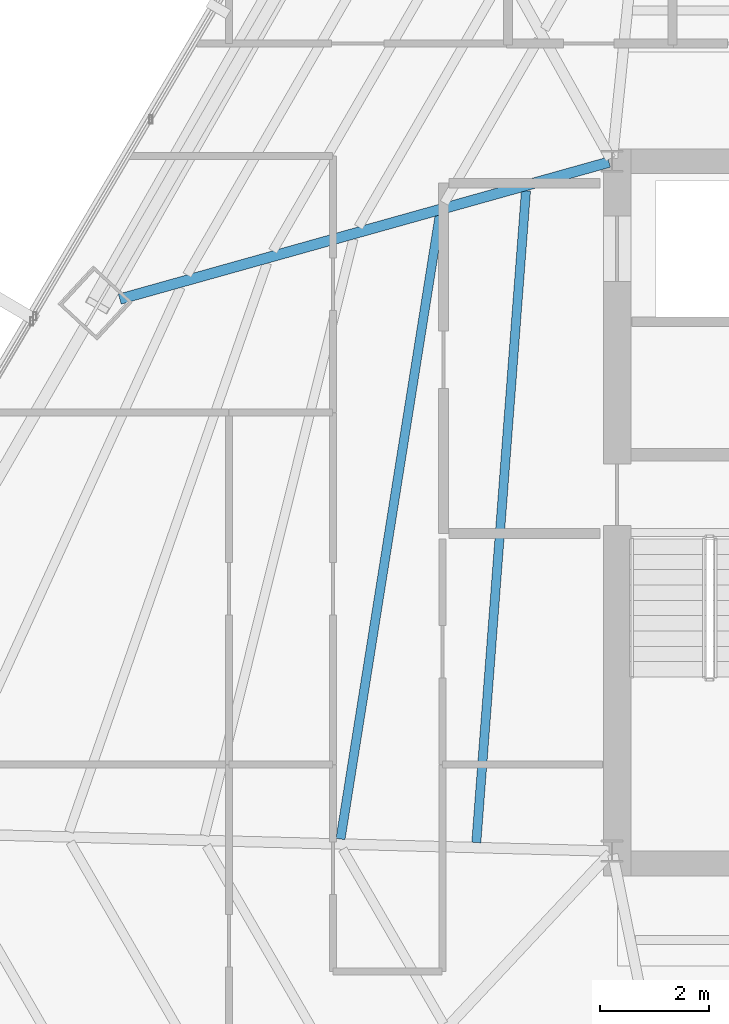
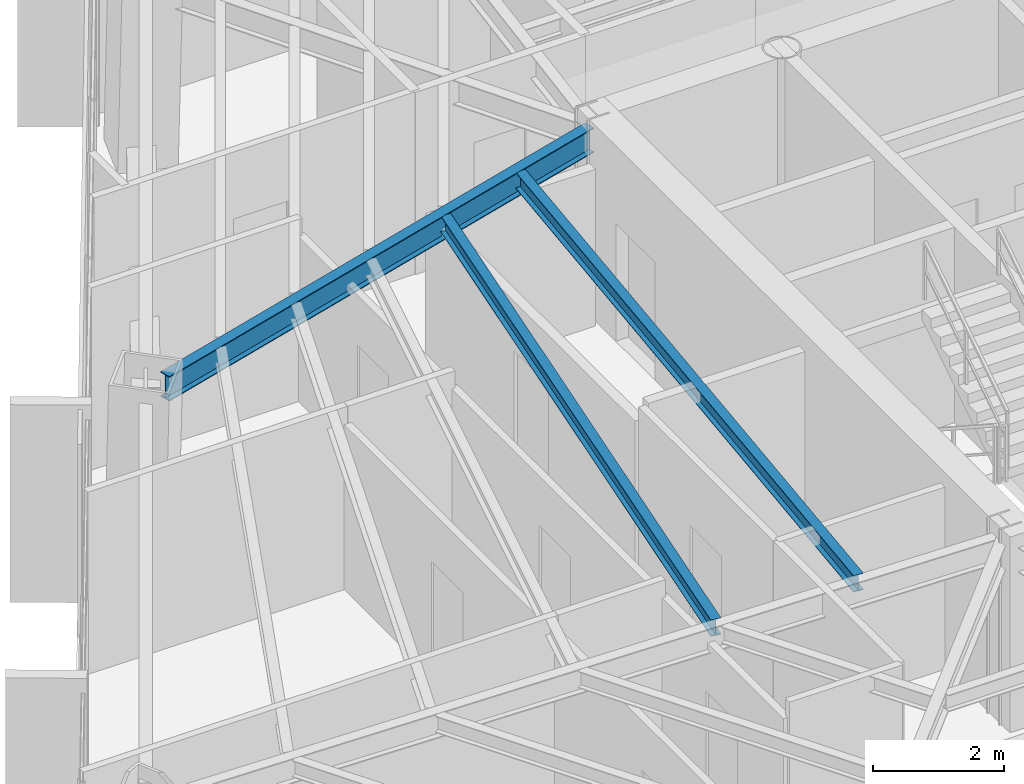
# One storey, part 13 of 41: 3 beams.
"""IFC4 building model written with IfcOpenShell, lengths in metres."""

from ifc_helpers import new_model, si_unit, direction, frame, origin, origin_2d, place, context, subcontext, project, spatial, i_section, extrude, source, transform, mapped, material, material_profile, profile_set, type_object, type_shapes, element, save


model = new_model("IFC4")

# Units and contexts
model_context = context("Model", 3, precision=1e-05, world=origin(), true_north=direction((0.0, 1.0)))
body_context = subcontext(model_context, "Body", "Model", "MODEL_VIEW")
ifc_project = project(units=[si_unit("LENGTHUNIT", "METRE"), si_unit("AREAUNIT", "SQUARE_METRE"), si_unit("VOLUMEUNIT", "CUBIC_METRE"), si_unit("PLANEANGLEUNIT", "RADIAN"), si_unit("MASSUNIT", "GRAM", prefix="KILO")], contexts=[model_context])

# Site, building, storey
site_placement = place(None, origin())
site = spatial("IfcSite", under=ifc_project, at=site_placement, CompositionType="ELEMENT")
building_placement = place(site_placement, origin())
building = spatial("IfcBuilding", under=site, at=building_placement, Name="Caelisora Broadcast Tower", CompositionType="ELEMENT")
storey_placement = place(building_placement, frame((0.0, 0.0, 169.449951171875)))
storey = spatial("IfcBuildingStorey", under=building, at=storey_placement, Name="L44", CompositionType="ELEMENT", Elevation=169.449951171875)

# Beams
ifc_material = material(Name="Steel Grade 350 (AS/NZS 3679.1)", Category="steel")
ifc_material_profile_1 = material_profile(ifc_material, i_section(OverallWidth=0.19091796875, OverallDepth=0.46044921875, WebThickness=0.010009765625, FlangeThickness=0.01611328125, at=origin_2d()), Name="Steel Grade 350 (AS/NZS 3679.1)")
ifc_profile_set_1 = profile_set([ifc_material_profile_1], Name="Steel Grade 350 (AS/NZS 3679.1)")
beam_type_1 = type_object("IfcBeamType", Name="PG06", PredefinedType="BEAM", material=ifc_profile_set_1)
shared_shape_1 = source(origin(), body_context, "Body", "SweptSolid", [
    extrude(i_section(OverallWidth=0.19091796875, OverallDepth=0.46044921875, WebThickness=0.010009765625, FlangeThickness=0.01611328125, at=origin_2d()), origin(), (0.0, 0.0, 1.0), 9.2783203125),
])
type_shapes(beam_type_1, [shared_shape_1])
beam_1_placement = place(storey_placement, frame((30.442138671875, 29.98388671875, 3.169921875), z_axis=(-0.96297194439, -0.269601621505, 0.0), x_axis=(0.269601621505, -0.96297194439, 0.0)))
element("IfcBeam", 1, at=beam_1_placement, inside=storey, type_object=beam_type_1, Name="L44 beam PG06", PredefinedType="BEAM", context=body_context, shape_type="MappedRepresentation", body=[
    mapped(shared_shape_1, transform((0.0, 0.0, 0.0), scale=1.0)),
])
ifc_material_profile_2 = material_profile(ifc_material, i_section(OverallWidth=0.166015625, OverallDepth=0.30712890625, WebThickness=0.006591796875, FlangeThickness=0.01171875, at=origin_2d()), Name="Steel Grade 350 (AS/NZS 3679.1)")
ifc_profile_set_2 = profile_set([ifc_material_profile_2], Name="Steel Grade 350 (AS/NZS 3679.1)")
beam_type_2 = type_object("IfcBeamType", Name="SB03", PredefinedType="JOIST", material=ifc_profile_set_2)
shared_shape_2 = source(origin(), body_context, "Body", "SweptSolid", [
    extrude(i_section(OverallWidth=0.166015625, OverallDepth=0.30712890625, WebThickness=0.006591796875, FlangeThickness=0.01171875, at=origin_2d()), origin(), (0.0, 0.0, 1.0), 11.940185546875),
])
beam_2_placement = place(storey_placement, frame((28.92626953125, 29.463134765625, 3.246337890625), z_axis=(-0.075980359523, -0.997109314452, 0.0), x_axis=(0.997109314452, -0.075980359523, 0.0)))
element("IfcBeam", 2, at=beam_2_placement, inside=storey, type_object=beam_type_2, Name="L44 beam SB03", PredefinedType="JOIST", context=body_context, shape_type="MappedRepresentation", body=[
    mapped(shared_shape_2, transform((0.0, 0.0, 0.0), scale=1.0)),
])
shared_shape_3 = source(origin(), body_context, "Body", "SweptSolid", [
    extrude(i_section(OverallWidth=0.166015625, OverallDepth=0.30712890625, WebThickness=0.006591796875, FlangeThickness=0.01171875, at=origin_2d()), origin(), (0.0, 0.0, 1.0), 11.54345703125),
])
type_shapes(beam_type_2, [shared_shape_2, shared_shape_3])
beam_3_placement = place(storey_placement, frame((27.3515625, 29.022216796875, 3.246337890625), z_axis=(-0.157037694113, -0.987592609646, 0.0), x_axis=(0.987592609646, -0.157037694113, 0.0)))
element("IfcBeam", 3, at=beam_3_placement, inside=storey, type_object=beam_type_2, Name="L44 beam SB03", PredefinedType="JOIST", context=body_context, shape_type="MappedRepresentation", body=[
    mapped(shared_shape_3, transform((0.0, 0.0, 0.0), scale=1.0)),
])

save(model, "model.ifc")
